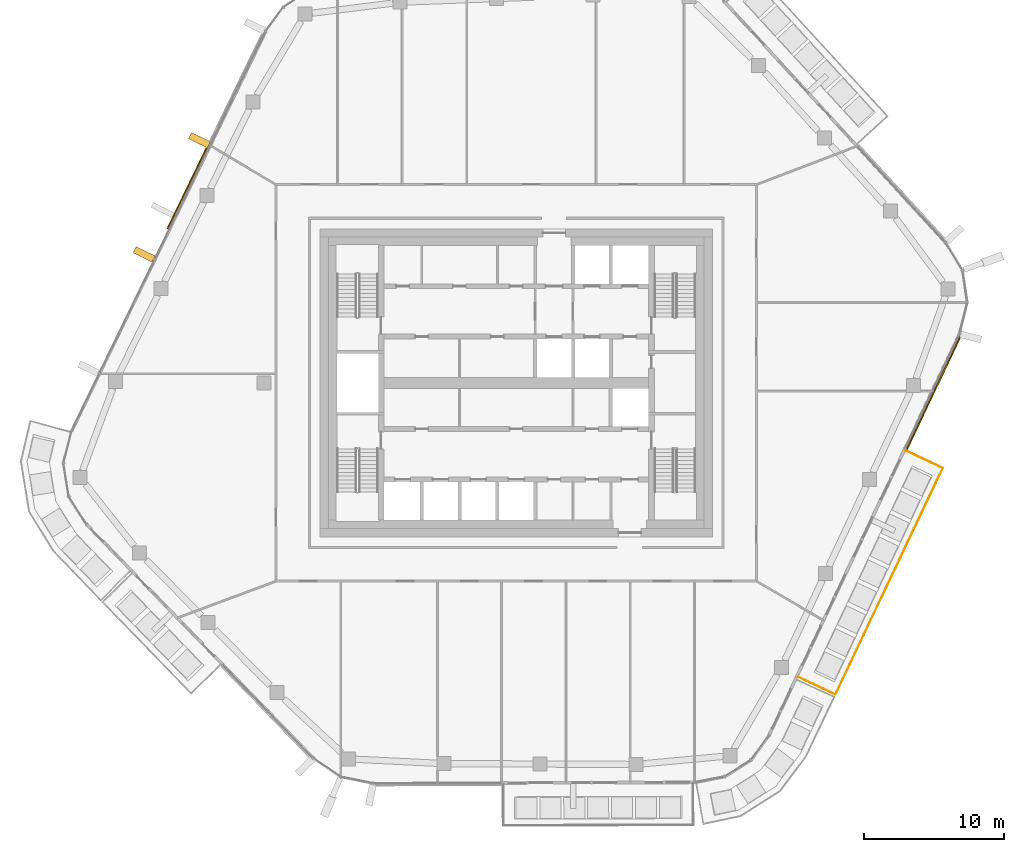
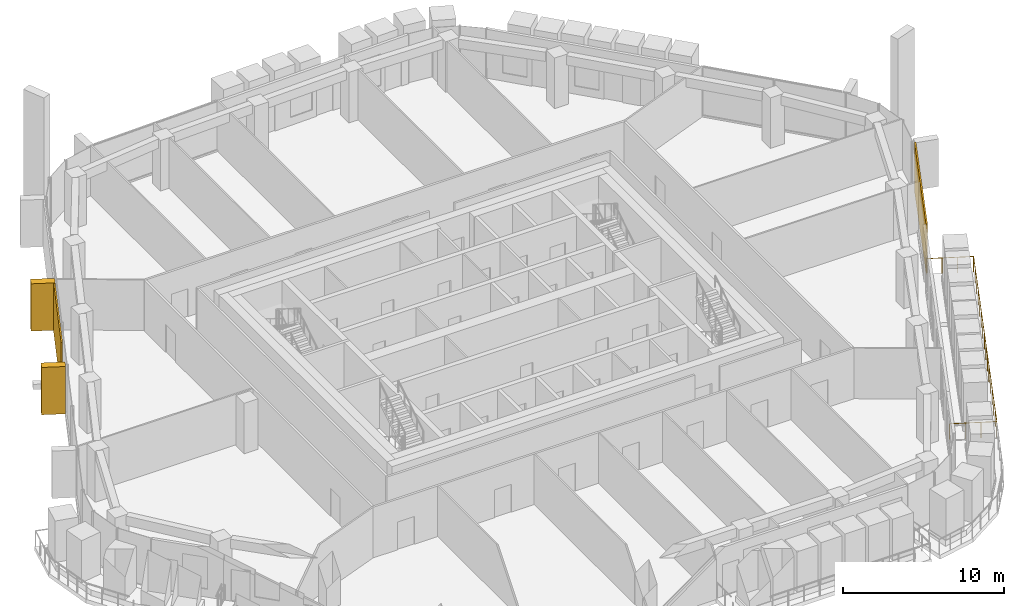
# One storey, part 21 of 24: 4 coverings, 1 railing, 2 elements without a shape of their own.
"""IFC4 building model written with IfcOpenShell, lengths in metres."""

from ifc_helpers import new_model, si_unit, direction, frame, origin, origin_2d, place, context, subcontext, project, spatial, rectangle, circle, extrude, material, layer, layer_set, material_profile, profile_set, type_object, element, aggregate, save


model = new_model("IFC4")

# Units and contexts
model_context = context("Model", 3, precision=1e-05, world=origin(), true_north=direction((0.0, 1.0)))
body_context = subcontext(model_context, "Body", "Model", "MODEL_VIEW")
ifc_project = project(units=[si_unit("LENGTHUNIT", "METRE"), si_unit("AREAUNIT", "SQUARE_METRE"), si_unit("VOLUMEUNIT", "CUBIC_METRE"), si_unit("PLANEANGLEUNIT", "RADIAN"), si_unit("MASSUNIT", "GRAM", prefix="KILO")], contexts=[model_context])

# Site, building, storey
site_placement = place(None, origin())
site = spatial("IfcSite", under=ifc_project, at=site_placement, CompositionType="ELEMENT")
building_placement = place(site_placement, origin())
building = spatial("IfcBuilding", under=site, at=building_placement, Name="Dongbaek Canopy Tower", CompositionType="ELEMENT")
storey_placement = place(building_placement, frame((0.0, 0.0, 344.60009765625)))
storey = spatial("IfcBuildingStorey", under=building, at=storey_placement, Name="L74", CompositionType="ELEMENT", Elevation=344.60009765625)

# Railing
ifc_material_1 = material(Name="Stainless steel", Category="steel")
railing_type = type_object("IfcRailingType", Name="Balcony balustrade 1200", PredefinedType="BALUSTRADE", material=ifc_material_1)
railing_placement = place(storey_placement, frame((20.115234375, -20.985107421875, 0.0)))
element("IfcRailing", 1, at=railing_placement, inside=storey, type_object=railing_type, Name="Balcony guard L74 5", PredefinedType="BALUSTRADE", context=body_context, shape_type="SweptSolid", body=[
    extrude(circle(Radius=0.02392578125, at=origin_2d()), frame((0.0, 0.0, 1.17578125), z_axis=(0.903502666033, -0.428582468694, 0.0), x_axis=(0.428582468694, 0.903502666033, 0.0)), (0.0, 0.0, 1.0), 2.93994140625),
    extrude(circle(Radius=0.02392578125, at=origin_2d()), frame((2.65625, -1.260009765625, 1.17578125), z_axis=(0.428526924871, 0.903529011521, 0.0), x_axis=(-0.903529011521, 0.428526924871, 0.0)), (0.0, 0.0, 1.0), 17.886962890625),
    extrude(circle(Radius=0.02392578125, at=origin_2d()), frame((10.3212890625, 14.9013671875, 1.17578125), z_axis=(-0.903550068304, 0.428482524809, 0.0), x_axis=(-0.428482524809, -0.903550068304, 0.0)), (0.0, 0.0, 1.0), 2.93994140625),
    extrude(circle(Radius=0.02099609375, at=origin_2d()), origin(), (0.0, 0.0, 1.0), 1.15185546875),
    extrude(circle(Radius=0.02099609375, at=origin_2d()), frame((0.885498046875, -0.419921875, 0.0)), (0.0, 0.0, 1.0), 1.15185546875),
    extrude(circle(Radius=0.02099609375, at=origin_2d()), frame((1.770751953125, -0.840087890625, 0.0)), (0.0, 0.0, 1.0), 1.15185546875),
    extrude(circle(Radius=0.02099609375, at=origin_2d()), frame((2.65625, -1.260009765625, 0.0)), (0.0, 0.0, 1.0), 1.15185546875),
    extrude(circle(Radius=0.02099609375, at=origin_2d()), frame((3.167236328125, -0.1826171875, 0.0)), (0.0, 0.0, 1.0), 1.15185546875),
    extrude(circle(Radius=0.02099609375, at=origin_2d()), frame((3.67822265625, 0.894775390625, 0.0)), (0.0, 0.0, 1.0), 1.15185546875),
    extrude(circle(Radius=0.02099609375, at=origin_2d()), frame((4.189208984375, 1.97216796875, 0.0)), (0.0, 0.0, 1.0), 1.15185546875),
    extrude(circle(Radius=0.02099609375, at=origin_2d()), frame((4.7001953125, 3.0498046875, 0.0)), (0.0, 0.0, 1.0), 1.15185546875),
    extrude(circle(Radius=0.02099609375, at=origin_2d()), frame((5.211181640625, 4.127197265625, 0.0)), (0.0, 0.0, 1.0), 1.15185546875),
    extrude(circle(Radius=0.02099609375, at=origin_2d()), frame((5.72216796875, 5.20458984375, 0.0)), (0.0, 0.0, 1.0), 1.15185546875),
    extrude(circle(Radius=0.02099609375, at=origin_2d()), frame((6.233154296875, 6.281982421875, 0.0)), (0.0, 0.0, 1.0), 1.15185546875),
    extrude(circle(Radius=0.02099609375, at=origin_2d()), frame((6.744384765625, 7.359375, 0.0)), (0.0, 0.0, 1.0), 1.15185546875),
    extrude(circle(Radius=0.02099609375, at=origin_2d()), frame((7.25537109375, 8.436767578125, 0.0)), (0.0, 0.0, 1.0), 1.15185546875),
    extrude(circle(Radius=0.02099609375, at=origin_2d()), frame((7.766357421875, 9.51416015625, 0.0)), (0.0, 0.0, 1.0), 1.15185546875),
    extrude(circle(Radius=0.02099609375, at=origin_2d()), frame((8.27734375, 10.591552734375, 0.0)), (0.0, 0.0, 1.0), 1.15185546875),
    extrude(circle(Radius=0.02099609375, at=origin_2d()), frame((8.788330078125, 11.669189453125, 0.0)), (0.0, 0.0, 1.0), 1.15185546875),
    extrude(circle(Radius=0.02099609375, at=origin_2d()), frame((9.29931640625, 12.74658203125, 0.0)), (0.0, 0.0, 1.0), 1.15185546875),
    extrude(circle(Radius=0.02099609375, at=origin_2d()), frame((9.810302734375, 13.823974609375, 0.0)), (0.0, 0.0, 1.0), 1.15185546875),
    extrude(circle(Radius=0.02099609375, at=origin_2d()), frame((10.3212890625, 14.9013671875, 0.0)), (0.0, 0.0, 1.0), 1.15185546875),
    extrude(circle(Radius=0.02099609375, at=origin_2d()), frame((9.435791015625, 15.3212890625, 0.0)), (0.0, 0.0, 1.0), 1.15185546875),
    extrude(circle(Radius=0.02099609375, at=origin_2d()), frame((8.55029296875, 15.7412109375, 0.0)), (0.0, 0.0, 1.0), 1.15185546875),
    extrude(circle(Radius=0.02099609375, at=origin_2d()), frame((7.664794921875, 16.1611328125, 0.0)), (0.0, 0.0, 1.0), 1.15185546875),
])

# Curtain wall, covering
ifc_material_2 = material(Name="Aluminium 6063-T6 pale anodised", Category="aluminium")
ifc_layer_1 = layer(ifc_material_2, 0.199951171875)
ifc_layer_set_1 = layer_set([ifc_layer_1], Name="CW-1 unitised tower curtain wall")
curtain_wall_type = type_object("IfcCurtainWallType", Name="CW-1 unitised tower curtain wall", PredefinedType="NOTDEFINED", material=ifc_layer_set_1)
curtain_wall_1_placement = place(storey_placement, origin())
curtain_wall_1 = element("IfcCurtainWall", 2, at=curtain_wall_1_placement, inside=storey, type_object=curtain_wall_type, Name="CW-1 curtain wall F5.1", PredefinedType="NOTDEFINED")
ifc_material_3 = material(Name="Perforated aluminium 6063-T6 pale metal screen", Category="aluminium")
ifc_layer_2 = layer(ifc_material_3, 0.10009765625)
ifc_layer_set_2 = layer_set([ifc_layer_2], Name="Facet screen FS1 100 pale metal")
covering_type_1 = type_object("IfcCoveringType", Name="Facet screen FS1 100 pale metal", PredefinedType="CLADDING", material=ifc_layer_set_2)
covering_1_placement = place(storey_placement, frame((29.780029296875, -0.71435546875, 0.0), z_axis=(0.0, 0.0, 1.0), x_axis=(0.428522014784, 0.903531340267, 0.0)))
covering_1 = element("IfcCovering", 3, at=covering_1_placement, type_object=covering_type_1, Name="Facet screen L74 F5", PredefinedType="CLADDING", context=body_context, shape_type="SweptSolid", body=[
    extrude(rectangle(XDim=8.92041015625, YDim=0.10009765625, at=origin_2d()), origin(), (0.0, 0.0, 1.0), 3.699951171875),
])
aggregate(curtain_wall_1, [covering_1])

# Curtain wall, coverings
curtain_wall_2_placement = place(storey_placement, origin())
curtain_wall_2 = element("IfcCurtainWall", 4, at=curtain_wall_2_placement, inside=storey, type_object=curtain_wall_type, Name="CW-1 curtain wall F2.1", PredefinedType="NOTDEFINED")
covering_2_placement = place(storey_placement, frame((-23.49951171875, 13.872314453125, 0.0), z_axis=(0.0, 0.0, 1.0), x_axis=(-0.436790798164, -0.899563115429, 0.0)))
covering_2 = element("IfcCovering", 5, at=covering_2_placement, type_object=covering_type_1, Name="Facet screen L74 F2", PredefinedType="CLADDING", context=body_context, shape_type="SweptSolid", body=[
    extrude(rectangle(XDim=6.394287109375, YDim=0.10009765625, at=origin_2d()), origin(), (0.0, 0.0, 1.0), 3.699951171875),
])
ifc_material_4 = material(Name="Aluminium 6063-T6 pale metal fin", Category="aluminium")
ifc_material_profile = material_profile(ifc_material_4, rectangle(XDim=1.5, YDim=0.5, at=origin_2d()), Name="Fin FN1 500 x 1500 pale metal")
ifc_profile_set = profile_set([ifc_material_profile], Name="Aluminium 6063-T6 pale metal fin")
covering_type_2 = type_object("IfcCoveringType", Name="Fin FN1 500 x 1500 pale metal", PredefinedType="CLADDING", material=ifc_profile_set)
covering_3_placement = place(storey_placement, frame((-22.609619140625, 17.31689453125, 0.119873046875), z_axis=(0.0, 0.0, 1.0), x_axis=(-0.899562865898, 0.436791312067, 0.0)))
covering_3 = element("IfcCovering", 6, at=covering_3_placement, type_object=covering_type_2, Name="Fin F2.1.3", PredefinedType="CLADDING", context=body_context, shape_type="SweptSolid", body=[
    extrude(rectangle(XDim=1.5, YDim=0.5, at=origin_2d()), origin(), (0.0, 0.0, 1.0), 3.580078125),
])
covering_4_placement = place(storey_placement, frame((-26.564453125, 9.172119140625, 0.119873046875), z_axis=(0.0, 0.0, 1.0), x_axis=(-0.899562865898, 0.436791312067, 0.0)))
covering_4 = element("IfcCovering", 7, at=covering_4_placement, type_object=covering_type_2, Name="Fin F2.1.5", PredefinedType="CLADDING", context=body_context, shape_type="SweptSolid", body=[
    extrude(rectangle(XDim=1.5, YDim=0.5, at=origin_2d()), origin(), (0.0, 0.0, 1.0), 3.580078125),
])
aggregate(curtain_wall_2, [covering_3, covering_4, covering_2])

save(model, "model.ifc")
